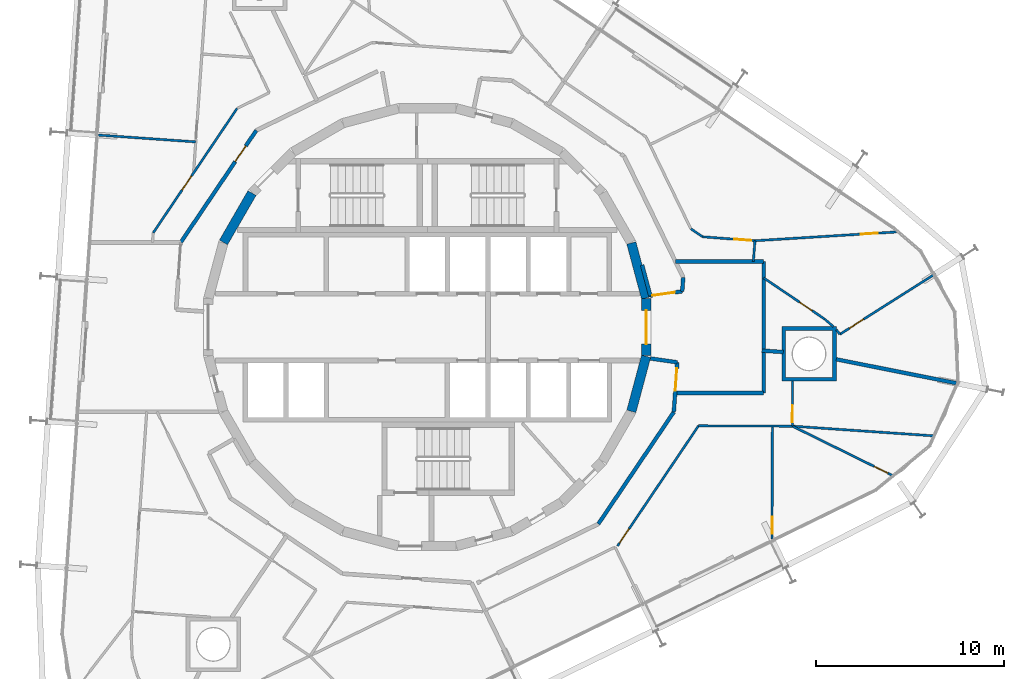
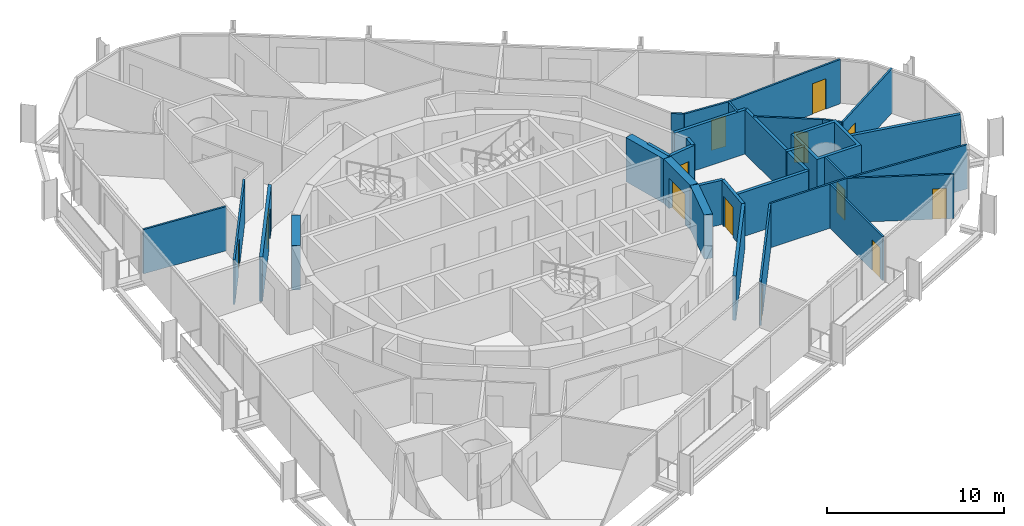
# One storey, part 14 of 17: 33 walls, 13 doors, 13 openings.
"""IFC4 building model written with IfcOpenShell, lengths in metres."""

from ifc_helpers import new_model, si_unit, direction, frame, frame_2d, origin, place, context, subcontext, project, spatial, polyline, rectangle, outline, extrude, material, layer, layer_set, type_object, element, fill, save


model = new_model("IFC4")

# Units and contexts
model_context = context("Model", 3, precision=1e-05, world=origin(), true_north=direction((0.0, 1.0)))
body_context = subcontext(model_context, "Body", "Model", "MODEL_VIEW")
ifc_project = project(units=[si_unit("LENGTHUNIT", "METRE"), si_unit("AREAUNIT", "SQUARE_METRE"), si_unit("VOLUMEUNIT", "CUBIC_METRE"), si_unit("PLANEANGLEUNIT", "RADIAN"), si_unit("MASSUNIT", "GRAM", prefix="KILO")], contexts=[model_context])

# Site, building, storey
site_placement = place(None, origin())
site = spatial("IfcSite", under=ifc_project, at=site_placement, CompositionType="ELEMENT")
building_placement = place(site_placement, origin())
building = spatial("IfcBuilding", under=site, at=building_placement, Name="Spindle Arch Residences", CompositionType="ELEMENT")
storey_placement = place(building_placement, frame((0.0, 0.0, 216.39990234375)))
storey = spatial("IfcBuildingStorey", under=building, at=storey_placement, Name="L55", CompositionType="ELEMENT", Elevation=216.39990234375)

# Wall
ifc_material_1 = material(Name="Concrete C50/60", Category="concrete")
ifc_layer_1 = layer(ifc_material_1, 0.5)
ifc_layer_set_1 = layer_set([ifc_layer_1], Name="Core outline wall 500")
wall_type_1 = type_object("IfcWallType", Name="Core outline wall 500", PredefinedType="SHEAR", material=ifc_layer_set_1)
wall_1_placement = place(storey_placement, frame((10.858154296875, -4.479248046875, 0.0), z_axis=(0.0, 0.0, 1.0), x_axis=(0.258734743916, 0.965948410781, 0.0)))
element("IfcWall", 1, at=wall_1_placement, inside=storey, type_object=wall_type_1, Name="Core outline wall 5", PredefinedType="SHEAR", context=body_context, shape_type="SweptSolid", body=[
    extrude(rectangle(XDim=3.03271484375, YDim=0.5, at=frame_2d((1.516357421875, 0.0))), origin(), (0.0, 0.0, 1.0), 3.050048828125),
])

# Wall, opening, door
wall_2_placement = place(storey_placement, frame((11.647216796875, -1.516357421875, 0.0), z_axis=(0.0, 0.0, 1.0), x_axis=(0.0, 1.0, 0.0)))
wall_2 = element("IfcWall", 2, at=wall_2_placement, inside=storey, type_object=wall_type_1, Name="Core outline wall 6", PredefinedType="SHEAR", context=body_context, shape_type="SweptSolid", body=[
    extrude(rectangle(XDim=3.03271484375, YDim=0.5, at=frame_2d((1.516357421875, 0.0))), origin(), (0.0, 0.0, 1.0), 3.050048828125),
])
opening_1_placement = place(wall_2_placement, frame((0.6162109375, 0.0, 0.0)))
opening_1 = element("IfcOpeningElement", 3, at=opening_1_placement, cuts=wall_2, Name="Opening R5C0-FE01", PredefinedType="OPENING", context=body_context, shape_type="SweptSolid", body=[
    extrude(rectangle(XDim=1.800048828125, YDim=2.10009765625, at=frame_2d((0.89990234375, 1.050048828125))), frame((0.0, 0.260009765625, 0.0), z_axis=(0.0, -1.0, 0.0), x_axis=(1.0, 0.0, 0.0)), (0.0, 0.0, 1.0), 0.52001953125),
])
ifc_material_2 = material(Name="Steel, fire-resisting door", Category="steel")
door_type_1 = type_object("IfcDoorType", Name="Fire-lift lobby door 1800x2100", OperationType="DOUBLE_DOOR_SINGLE_SWING", PredefinedType="DOOR", material=ifc_material_2)
door_1_placement = place(opening_1_placement, origin())
door_1 = element("IfcDoor", 4, at=door_1_placement, inside=storey, type_object=door_type_1, Name="Fire-lift lobby door R5C0-FE01", OperationType="DOUBLE_DOOR_SINGLE_SWING", OverallHeight=2.10009765625, OverallWidth=1.800048828125, PredefinedType="DOOR", context=body_context, shape_type="SweptSolid", body=[
    extrude(rectangle(XDim=1.800048828125, YDim=2.10009765625, at=frame_2d((0.89990234375, 1.050048828125))), frame((0.0, 0.02490234375, 0.0), z_axis=(0.0, -1.0, 0.0), x_axis=(1.0, 0.0, 0.0)), (0.0, 0.0, 1.0), 0.050048828125),
])
fill(opening_1, door_1)

# Walls
for number, where, z_axis, x_axis, name in (
    (5, (11.642822265625, 1.5498046875, 0.0), (0.0, 0.0, 1.0), (-0.258734743916, 0.965948410781, 0.0), "Core outline wall 7"),
    (6, (-9.32861328125, 7.13671875, 0.0), (0.0, 0.0, 1.0), (-0.500087131594, -0.865975092491, 0.0), "Core outline wall 16"),
):
    element("IfcWall", number, at=place(storey_placement, frame(where, z_axis=z_axis, x_axis=x_axis)), inside=storey, type_object=wall_type_1, Name=name, PredefinedType="SHEAR", context=body_context, shape_type="SweptSolid", body=[
        extrude(rectangle(XDim=3.03271484375, YDim=0.5, at=frame_2d((1.516357421875, 0.0))), origin(), (0.0, 0.0, 1.0), 3.050048828125),
    ])

# Wall, opening, door
ifc_material_3 = material(Name="Calcium silicate block, plastered")
ifc_layer_2 = layer(ifc_material_3, 0.199951171875)
ifc_layer_set_2 = layer_set([ifc_layer_2], Name="Corridor wall 200")
wall_type_2 = type_object("IfcWallType", Name="Corridor wall 200", PredefinedType="STANDARD", material=ifc_layer_set_2)
wall_3_placement = place(storey_placement, frame((-9.101318359375, 10.469970703125, 0.0), z_axis=(0.0, 0.0, 1.0), x_axis=(-0.559195469534, -0.829035841718, 0.0)))
wall_3 = element("IfcWall", 7, at=wall_3_placement, inside=storey, type_object=wall_type_2, Name="Corridor wall R5C0-W012", PredefinedType="STANDARD", context=body_context, shape_type="SweptSolid", body=[
    extrude(rectangle(XDim=7.18115234375, YDim=0.199951171875, at=frame_2d((3.590576171875, 0.0))), origin(), (0.0, 0.0, 1.0), 3.050048828125),
])
opening_2_placement = place(wall_3_placement, frame((1.0, 0.0, 0.0)))
opening_2 = element("IfcOpeningElement", 8, at=opening_2_placement, cuts=wall_3, Name="Opening R5C0-FD03", PredefinedType="OPENING", context=body_context, shape_type="SweptSolid", body=[
    extrude(rectangle(XDim=1.0, YDim=2.10009765625, at=frame_2d((0.5, 1.050048828125))), frame((0.0, 0.10986328125, 0.0), z_axis=(0.0, -1.0, 0.0), x_axis=(1.0, 0.0, 0.0)), (0.0, 0.0, 1.0), 0.219970703125),
])
ifc_material_4 = material(Name="Timber, fire-resisting door set", Category="wood")
door_type_2 = type_object("IfcDoorType", Name="Flat entrance door 1000x2100", OperationType="NOTDEFINED", PredefinedType="DOOR", material=ifc_material_4)
door_2_placement = place(opening_2_placement, origin())
door_2 = element("IfcDoor", 9, at=door_2_placement, inside=storey, type_object=door_type_2, Name="Flat entrance door R5C0-FD03", OperationType="SINGLE_SWING_LEFT", OverallHeight=2.10009765625, OverallWidth=1.0, PredefinedType="DOOR", context=body_context, shape_type="SweptSolid", body=[
    extrude(rectangle(XDim=1.0, YDim=2.10009765625, at=frame_2d((0.5, 1.050048828125))), frame((0.0, 0.02490234375, 0.0), z_axis=(0.0, -1.0, 0.0), x_axis=(1.0, 0.0, 0.0)), (0.0, 0.0, 1.0), 0.050048828125),
])
fill(opening_2, door_2)

# Walls
wall_4_placement = place(storey_placement, frame((9.101318359375, -10.469970703125, 0.0), z_axis=(0.0, 0.0, 1.0), x_axis=(0.559195469534, 0.829035841718, 0.0)))
element("IfcWall", 10, at=wall_4_placement, inside=storey, type_object=wall_type_2, Name="Corridor wall R5C0-W021", PredefinedType="STANDARD", context=body_context, shape_type="SweptSolid", body=[
    extrude(rectangle(XDim=7.18115234375, YDim=0.199951171875, at=frame_2d((3.590576171875, 0.0))), origin(), (0.0, 0.0, 1.0), 3.050048828125),
])
ifc_material_5 = material(Name="Calcium silicate block, plastered")
ifc_layer_3 = layer(ifc_material_5, 0.199951171875)
ifc_layer_set_3 = layer_set([ifc_layer_3], Name="Fire-lift lobby bay wall 200")
wall_type_3 = type_object("IfcWallType", Name="Fire-lift lobby bay wall 200", PredefinedType="STANDARD", material=ifc_layer_set_3)
wall_5_placement = place(storey_placement, frame((11.8701171875, 1.668212890625, 0.0), z_axis=(0.0, 0.0, 1.0), x_axis=(-0.258836880648, 0.965921047093, 0.0)))
element("IfcWall", 11, at=wall_5_placement, inside=storey, type_object=wall_type_3, Name="Fire-lift lobby bay wall R5C0-W001", PredefinedType="STANDARD", context=body_context, shape_type="SweptSolid", body=[
    extrude(rectangle(XDim=1.695068359375, YDim=0.199951171875, at=frame_2d((0.84765625, 0.0))), origin(), (0.0, 0.0, 1.0), 3.050048828125),
])

# Wall, opening, door
wall_6_placement = place(storey_placement, frame((11.8701171875, 1.668212890625, 0.0), z_axis=(0.0, 0.0, 1.0), x_axis=(0.990271931984, 0.139145609792, 0.0)))
wall_6 = element("IfcWall", 12, at=wall_6_placement, inside=storey, type_object=wall_type_3, Name="Fire-lift lobby bay wall R5C0-W002", PredefinedType="STANDARD", context=body_context, shape_type="SweptSolid", body=[
    extrude(rectangle(XDim=1.71240234375, YDim=0.199951171875, at=frame_2d((0.856201171875, 0.0))), origin(), (0.0, 0.0, 1.0), 3.050048828125),
])
opening_3_placement = place(wall_6_placement, frame((0.110107421875, 0.0, 0.0)))
opening_3 = element("IfcOpeningElement", 13, at=opening_3_placement, cuts=wall_6, Name="Opening R5C0-CD01", PredefinedType="OPENING", context=body_context, shape_type="SweptSolid", body=[
    extrude(rectangle(XDim=1.199951171875, YDim=2.10009765625, at=frame_2d((0.60009765625, 1.050048828125))), frame((0.0, 0.10986328125, 0.0), z_axis=(0.0, -1.0, 0.0), x_axis=(1.0, 0.0, 0.0)), (0.0, 0.0, 1.0), 0.219970703125),
])
ifc_material_6 = material(Name="Steel, fire-resisting door", Category="steel")
door_type_3 = type_object("IfcDoorType", Name="Corridor division door 1200x2100", OperationType="NOTDEFINED", PredefinedType="DOOR", material=ifc_material_6)
door_3_placement = place(opening_3_placement, origin())
door_3 = element("IfcDoor", 14, at=door_3_placement, inside=storey, type_object=door_type_3, Name="Corridor division door R5C0-CD01", OperationType="DOUBLE_DOOR_SINGLE_SWING", OverallHeight=2.10009765625, OverallWidth=1.199951171875, PredefinedType="DOOR", context=body_context, shape_type="SweptSolid", body=[
    extrude(rectangle(XDim=1.199951171875, YDim=2.10009765625, at=frame_2d((0.60009765625, 1.050048828125))), frame((0.0, 0.02490234375, 0.0), z_axis=(0.0, -1.0, 0.0), x_axis=(1.0, 0.0, 0.0)), (0.0, 0.0, 1.0), 0.050048828125),
])
fill(opening_3, door_3)

# Wall
wall_7_placement = place(storey_placement, frame((13.56591796875, 1.906494140625, 0.0), z_axis=(0.0, 0.0, 1.0), x_axis=(0.07005495793, 0.997543133338, 0.0)))
element("IfcWall", 15, at=wall_7_placement, inside=storey, type_object=wall_type_3, Name="Fire-lift lobby bay wall R5C0-W003", PredefinedType="STANDARD", context=body_context, shape_type="SweptSolid", body=[
    extrude(rectangle(XDim=0.7421875, YDim=0.199951171875, at=frame_2d((0.37109375, 0.0))), origin(), (0.0, 0.0, 1.0), 3.050048828125),
])

# Wall, opening, door
wall_8_placement = place(storey_placement, frame((13.116943359375, -4.5166015625, 0.0), z_axis=(0.0, 0.0, 1.0), x_axis=(0.069736659613, 0.997565435601, 0.0)))
wall_8 = element("IfcWall", 16, at=wall_8_placement, inside=storey, type_object=wall_type_3, Name="Fire-lift lobby bay wall R5C0-W013", PredefinedType="STANDARD", context=body_context, shape_type="SweptSolid", body=[
    extrude(rectangle(XDim=2.653564453125, YDim=0.199951171875, at=frame_2d((1.32666015625, 0.0))), origin(), (0.0, 0.0, 1.0), 3.050048828125),
])
opening_4_placement = place(wall_8_placement, frame((1.134033203125, 0.0, 0.0)))
opening_4 = element("IfcOpeningElement", 17, at=opening_4_placement, cuts=wall_8, Name="Opening R5C0-CD02", PredefinedType="OPENING", context=body_context, shape_type="SweptSolid", body=[
    extrude(rectangle(XDim=1.199951171875, YDim=2.10009765625, at=frame_2d((0.60009765625, 1.050048828125))), frame((0.0, 0.10986328125, 0.0), z_axis=(0.0, -1.0, 0.0), x_axis=(1.0, 0.0, 0.0)), (0.0, 0.0, 1.0), 0.219970703125),
])
door_4_placement = place(opening_4_placement, origin())
door_4 = element("IfcDoor", 18, at=door_4_placement, inside=storey, type_object=door_type_3, Name="Corridor division door R5C0-CD02", OperationType="DOUBLE_DOOR_SINGLE_SWING", OverallHeight=2.10009765625, OverallWidth=1.199951171875, PredefinedType="DOOR", context=body_context, shape_type="SweptSolid", body=[
    extrude(rectangle(XDim=1.199951171875, YDim=2.10009765625, at=frame_2d((0.60009765625, 1.050048828125))), frame((0.0, 0.02490234375, 0.0), z_axis=(0.0, -1.0, 0.0), x_axis=(1.0, 0.0, 0.0)), (0.0, 0.0, 1.0), 0.050048828125),
])
fill(opening_4, door_4)

# Walls
wall_9_placement = place(storey_placement, frame((13.302001953125, -1.869384765625, 0.0), z_axis=(0.0, 0.0, 1.0), x_axis=(-0.990274397042, 0.13912806533, 0.0)))
element("IfcWall", 19, at=wall_9_placement, inside=storey, type_object=wall_type_3, Name="Fire-lift lobby bay wall R5C0-W014", PredefinedType="STANDARD", context=body_context, shape_type="SweptSolid", body=[
    extrude(rectangle(XDim=1.446044921875, YDim=0.199951171875, at=frame_2d((0.72314453125, 0.0))), origin(), (0.0, 0.0, 1.0), 3.050048828125),
])
wall_10_placement = place(storey_placement, frame((17.89990234375, 3.5, 0.0), z_axis=(0.0, 0.0, 1.0), x_axis=(-1.0, 0.0, 0.0)))
element("IfcWall", 20, at=wall_10_placement, inside=storey, type_object=wall_type_3, Name="Fire-lift lobby bay wall R5C0-W024", PredefinedType="STANDARD", context=body_context, shape_type="SweptSolid", body=[
    extrude(rectangle(XDim=4.697998046875, YDim=0.199951171875, at=frame_2d((2.34912109375, 0.0))), origin(), (0.0, 0.0, 1.0), 3.050048828125),
])
wall_11_placement = place(storey_placement, frame((17.89990234375, -3.5, 0.0), z_axis=(0.0, 0.0, 1.0), x_axis=(0.0, 1.0, 0.0)))
element("IfcWall", 21, at=wall_11_placement, inside=storey, type_object=wall_type_3, Name="Fire-lift lobby bay wall R5C0-W025", PredefinedType="STANDARD", context=body_context, shape_type="SweptSolid", body=[
    extrude(rectangle(XDim=7.0, YDim=0.199951171875, at=frame_2d((3.5, 0.0))), origin(), (0.0, 0.0, 1.0), 3.050048828125),
])
wall_12_placement = place(storey_placement, frame((13.18798828125, -3.5, 0.0), z_axis=(0.0, 0.0, 1.0), x_axis=(1.0, 0.0, 0.0)))
element("IfcWall", 22, at=wall_12_placement, inside=storey, type_object=wall_type_3, Name="Fire-lift lobby bay wall R5C0-W026", PredefinedType="STANDARD", context=body_context, shape_type="SweptSolid", body=[
    extrude(rectangle(XDim=4.7119140625, YDim=0.199951171875, at=frame_2d((2.35595703125, 0.0))), origin(), (0.0, 0.0, 1.0), 3.050048828125),
])
ifc_material_7 = material(Name="Plasterboard on steel studs", Category="steel")
ifc_layer_4 = layer(ifc_material_7, 0.1201171875)
ifc_layer_set_4 = layer_set([ifc_layer_4], Name="Flat partition 120")
wall_type_4 = type_object("IfcWallType", Name="Flat partition 120", PredefinedType="PARTITIONING", material=ifc_layer_set_4)
wall_13_placement = place(storey_placement, frame((17.3505859375, 3.5, 0.0), z_axis=(0.0, 0.0, 1.0), x_axis=(0.075374124137, 0.997155324616, 0.0)))
element("IfcWall", 23, at=wall_13_placement, inside=storey, type_object=wall_type_4, Name="Flat partition R5C0-W037", PredefinedType="PARTITIONING", context=body_context, shape_type="SweptSolid", body=[
    extrude(rectangle(XDim=1.101318359375, YDim=0.1201171875, at=frame_2d((0.55078125, 0.0))), origin(), (0.0, 0.0, 1.0), 3.050048828125),
])

# Wall, opening, door
wall_14_placement = place(storey_placement, frame((17.43359375, 4.59814453125, 0.0), z_axis=(0.0, 0.0, 1.0), x_axis=(-0.997152077354, 0.075417071205, 0.0)))
wall_14 = element("IfcWall", 24, at=wall_14_placement, inside=storey, type_object=wall_type_4, Name="Flat partition R5C0-W038", PredefinedType="PARTITIONING", context=body_context, shape_type="SweptSolid", body=[
    extrude(rectangle(XDim=2.787353515625, YDim=0.1201171875, at=frame_2d((1.3935546875, 0.0))), origin(), (0.0, 0.0, 1.0), 3.050048828125),
])
opening_5_placement = place(wall_14_placement, frame((0.199951171875, 0.0, 0.0)))
opening_5 = element("IfcOpeningElement", 25, at=opening_5_placement, cuts=wall_14, Name="Opening R5C0-ID01", PredefinedType="OPENING", context=body_context, shape_type="SweptSolid", body=[
    extrude(rectangle(XDim=0.89990234375, YDim=2.10009765625, at=frame_2d((0.449951171875, 1.050048828125))), frame((0.0, 0.070068359375, 0.0), z_axis=(0.0, -1.0, 0.0), x_axis=(1.0, 0.0, 0.0)), (0.0, 0.0, 1.0), 0.14013671875),
])
ifc_material_8 = material(Name="Timber door set", Category="wood")
door_type_4 = type_object("IfcDoorType", Name="Room door 900x2100", OperationType="NOTDEFINED", PredefinedType="DOOR", material=ifc_material_8)
door_5_placement = place(opening_5_placement, origin())
door_5 = element("IfcDoor", 26, at=door_5_placement, inside=storey, type_object=door_type_4, Name="Room door R5C0-ID01", OperationType="SINGLE_SWING_LEFT", OverallHeight=2.10009765625, OverallWidth=0.89990234375, PredefinedType="DOOR", context=body_context, shape_type="SweptSolid", body=[
    extrude(rectangle(XDim=0.89990234375, YDim=2.10009765625, at=frame_2d((0.449951171875, 1.050048828125))), frame((0.0, 0.02490234375, 0.0), z_axis=(0.0, -1.0, 0.0), x_axis=(1.0, 0.0, 0.0)), (0.0, 0.0, 1.0), 0.050048828125),
])
fill(opening_5, door_5)

# Walls
wall_15_placement = place(storey_placement, frame((14.654296875, 4.808349609375, 0.0), z_axis=(0.0, 0.0, 1.0), x_axis=(-0.829065184024, 0.559151965604, 0.0)))
element("IfcWall", 27, at=wall_15_placement, inside=storey, type_object=wall_type_4, Name="Flat partition R5C0-W039", PredefinedType="PARTITIONING", context=body_context, shape_type="SweptSolid", body=[
    extrude(rectangle(XDim=0.758056640625, YDim=0.1201171875, at=frame_2d((0.37890625, 0.0))), origin(), (0.0, 0.0, 1.0), 3.050048828125),
])
wall_16_placement = place(storey_placement, frame((21.610107421875, 0.02978515625, 0.0), z_axis=(0.0, 0.0, 1.0), x_axis=(-0.758532196215, 0.651635563259, 0.0)))
element("IfcWall", 28, at=wall_16_placement, inside=storey, type_object=wall_type_4, Name="Flat partition R5C0-W042", PredefinedType="PARTITIONING", context=body_context, shape_type="SweptSolid", body=[
    extrude(rectangle(XDim=0.618896484375, YDim=0.1201171875, at=frame_2d((0.3095703125, 0.0))), origin(), (0.0, 0.0, 1.0), 3.050048828125),
])

# Wall, opening, door
wall_17_placement = place(storey_placement, frame((21.140625, 0.43310546875, 0.0), z_axis=(0.0, 0.0, 1.0), x_axis=(-0.829049908454, 0.559174614313, 0.0)))
wall_17 = element("IfcWall", 29, at=wall_17_placement, inside=storey, type_object=wall_type_4, Name="Flat partition R5C0-W043", PredefinedType="PARTITIONING", context=body_context, shape_type="SweptSolid", body=[
    extrude(rectangle(XDim=3.908935546875, YDim=0.1201171875, at=frame_2d((1.95458984375, 0.0))), origin(), (0.0, 0.0, 1.0), 3.050048828125),
])
opening_6_placement = place(wall_17_placement, frame((0.800048828125, 0.0, 0.0)))
opening_6 = element("IfcOpeningElement", 30, at=opening_6_placement, cuts=wall_17, Name="Opening R5C0-BD01", PredefinedType="OPENING", context=body_context, shape_type="SweptSolid", body=[
    extrude(rectangle(XDim=0.800048828125, YDim=2.10009765625, at=frame_2d((0.39990234375, 1.050048828125))), frame((0.0, 0.070068359375, 0.0), z_axis=(0.0, -1.0, 0.0), x_axis=(1.0, 0.0, 0.0)), (0.0, 0.0, 1.0), 0.14013671875),
])
ifc_material_9 = material(Name="Timber door set", Category="wood")
door_type_5 = type_object("IfcDoorType", Name="Bathroom door 800x2100", OperationType="NOTDEFINED", PredefinedType="DOOR", material=ifc_material_9)
door_6_placement = place(opening_6_placement, origin())
door_6 = element("IfcDoor", 31, at=door_6_placement, inside=storey, type_object=door_type_5, Name="Bathroom door R5C0-BD01", OperationType="SINGLE_SWING_RIGHT", OverallHeight=2.10009765625, OverallWidth=0.800048828125, PredefinedType="DOOR", context=body_context, shape_type="SweptSolid", body=[
    extrude(rectangle(XDim=0.800048828125, YDim=2.10009765625, at=frame_2d((0.39990234375, 1.050048828125))), frame((0.0, 0.02490234375, 0.0), z_axis=(0.0, -1.0, 0.0), x_axis=(1.0, 0.0, 0.0)), (0.0, 0.0, 1.0), 0.050048828125),
])
fill(opening_6, door_6)

wall_18_placement = place(storey_placement, frame((24.9560546875, 5.0654296875, 0.0), z_axis=(0.0, 0.0, 1.0), x_axis=(-0.998076202118, -0.061999151332, 0.0)))
wall_18 = element("IfcWall", 32, at=wall_18_placement, inside=storey, type_object=wall_type_4, Name="Flat partition R5C0-W044", PredefinedType="PARTITIONING", context=body_context, shape_type="SweptSolid", body=[
    extrude(rectangle(XDim=7.536865234375, YDim=0.1201171875, at=frame_2d((3.7685546875, 0.0))), origin(), (0.0, 0.0, 1.0), 3.050048828125),
])
opening_7_placement = place(wall_18_placement, frame((1.0, 0.0, 0.0)))
opening_7 = element("IfcOpeningElement", 33, at=opening_7_placement, cuts=wall_18, Name="Opening R5C0-ID03", PredefinedType="OPENING", context=body_context, shape_type="SweptSolid", body=[
    extrude(rectangle(XDim=0.89990234375, YDim=2.10009765625, at=frame_2d((0.449951171875, 1.050048828125))), frame((0.0, 0.070068359375, 0.0), z_axis=(0.0, -1.0, 0.0), x_axis=(1.0, 0.0, 0.0)), (0.0, 0.0, 1.0), 0.14013671875),
])
door_7_placement = place(opening_7_placement, origin())
door_7 = element("IfcDoor", 34, at=door_7_placement, inside=storey, type_object=door_type_4, Name="Room door R5C0-ID03", OperationType="SINGLE_SWING_LEFT", OverallHeight=2.10009765625, OverallWidth=0.89990234375, PredefinedType="DOOR", context=body_context, shape_type="SweptSolid", body=[
    extrude(rectangle(XDim=0.89990234375, YDim=2.10009765625, at=frame_2d((0.449951171875, 1.050048828125))), frame((0.0, 0.02490234375, 0.0), z_axis=(0.0, -1.0, 0.0), x_axis=(1.0, 0.0, 0.0)), (0.0, 0.0, 1.0), 0.050048828125),
])
fill(opening_7, door_7)

# Wall
wall_19_placement = place(storey_placement, frame((21.77197265625, -0.13623046875, 0.0), z_axis=(0.0, 0.0, 1.0), x_axis=(0.587310294779, -0.809361858285, 0.0)))
element("IfcWall", 35, at=wall_19_placement, inside=storey, type_object=wall_type_4, Name="Flat partition R5C0-W045", PredefinedType="PARTITIONING", context=body_context, shape_type="SweptSolid", body=[
    extrude(rectangle(XDim=0.303466796875, YDim=0.1201171875, at=frame_2d((0.15185546875, 0.0))), origin(), (0.0, 0.0, 1.0), 3.050048828125),
])

# Wall, opening, door
wall_20_placement = place(storey_placement, frame((21.9501953125, -0.3818359375, 0.0), z_axis=(0.0, 0.0, 1.0), x_axis=(0.844596663126, 0.535403097336, 0.0)))
wall_20 = element("IfcWall", 36, at=wall_20_placement, inside=storey, type_object=wall_type_4, Name="Flat partition R5C0-W046", PredefinedType="PARTITIONING", context=body_context, shape_type="SweptSolid", body=[
    extrude(rectangle(XDim=6.022216796875, YDim=0.1201171875, at=frame_2d((3.01123046875, 0.0))), origin(), (0.0, 0.0, 1.0), 3.050048828125),
])
opening_8_placement = place(wall_20_placement, frame((0.60009765625, 0.0, 0.0)))
opening_8 = element("IfcOpeningElement", 37, at=opening_8_placement, cuts=wall_20, Name="Opening R5C0-ID04", PredefinedType="OPENING", context=body_context, shape_type="SweptSolid", body=[
    extrude(rectangle(XDim=0.89990234375, YDim=2.10009765625, at=frame_2d((0.449951171875, 1.050048828125))), frame((0.0, 0.070068359375, 0.0), z_axis=(0.0, -1.0, 0.0), x_axis=(1.0, 0.0, 0.0)), (0.0, 0.0, 1.0), 0.14013671875),
])
door_8_placement = place(opening_8_placement, origin())
door_8 = element("IfcDoor", 38, at=door_8_placement, inside=storey, type_object=door_type_4, Name="Room door R5C0-ID04", OperationType="SINGLE_SWING_LEFT", OverallHeight=2.10009765625, OverallWidth=0.89990234375, PredefinedType="DOOR", context=body_context, shape_type="SweptSolid", body=[
    extrude(rectangle(XDim=0.89990234375, YDim=2.10009765625, at=frame_2d((0.449951171875, 1.050048828125))), frame((0.0, 0.02490234375, 0.0), z_axis=(0.0, -1.0, 0.0), x_axis=(1.0, 0.0, 0.0)), (0.0, 0.0, 1.0), 0.050048828125),
])
fill(opening_8, door_8)

wall_21_placement = place(storey_placement, frame((-10.1201171875, 11.641845703125, 0.0), z_axis=(0.0, 0.0, 1.0), x_axis=(-0.55920080659, -0.829032241779, 0.0)))
wall_21 = element("IfcWall", 39, at=wall_21_placement, inside=storey, type_object=wall_type_4, Name="Flat partition R5C0-W059", PredefinedType="PARTITIONING", context=body_context, shape_type="SweptSolid", body=[
    extrude(rectangle(XDim=7.98486328125, YDim=0.1201171875, at=frame_2d((3.992431640625, 0.0))), origin(), (0.0, 0.0, 1.0), 3.050048828125),
])
opening_9_placement = place(wall_21_placement, frame((4.346435546875, 0.0, 0.0)))
opening_9 = element("IfcOpeningElement", 40, at=opening_9_placement, cuts=wall_21, Name="Opening R5C0-ID11", PredefinedType="OPENING", context=body_context, shape_type="SweptSolid", body=[
    extrude(rectangle(XDim=0.89990234375, YDim=2.10009765625, at=frame_2d((0.449951171875, 1.050048828125))), frame((0.0, 0.070068359375, 0.0), z_axis=(0.0, -1.0, 0.0), x_axis=(1.0, 0.0, 0.0)), (0.0, 0.0, 1.0), 0.14013671875),
])
door_9_placement = place(opening_9_placement, origin())
door_9 = element("IfcDoor", 41, at=door_9_placement, inside=storey, type_object=door_type_4, Name="Room door R5C0-ID11", OperationType="SINGLE_SWING_LEFT", OverallHeight=2.10009765625, OverallWidth=0.89990234375, PredefinedType="DOOR", context=body_context, shape_type="SweptSolid", body=[
    extrude(rectangle(XDim=0.89990234375, YDim=2.10009765625, at=frame_2d((0.449951171875, 1.050048828125))), frame((0.0, 0.02490234375, 0.0), z_axis=(0.0, -1.0, 0.0), x_axis=(1.0, 0.0, 0.0)), (0.0, 0.0, 1.0), 0.050048828125),
])
fill(opening_9, door_9)

# Wall
wall_22_placement = place(storey_placement, frame((-17.51025390625, 10.222412109375, 0.0), z_axis=(0.0, 0.0, 1.0), x_axis=(0.997563184303, -0.069768856397, 0.0)))
element("IfcWall", 42, at=wall_22_placement, inside=storey, type_object=wall_type_4, Name="Flat partition R5C0-W069", PredefinedType="PARTITIONING", context=body_context, shape_type="SweptSolid", body=[
    extrude(rectangle(XDim=5.199951171875, YDim=0.1201171875, at=frame_2d((2.60009765625, 0.0))), origin(), (0.0, 0.0, 1.0), 3.050048828125),
])

# Wall, opening, door
wall_23_placement = place(storey_placement, frame((10.1201171875, -11.641845703125, 0.0), z_axis=(0.0, 0.0, 1.0), x_axis=(0.559201404667, 0.829031838362, 0.0)))
wall_23 = element("IfcWall", 43, at=wall_23_placement, inside=storey, type_object=wall_type_4, Name="Flat partition R5C0-W093", PredefinedType="PARTITIONING", context=body_context, shape_type="SweptSolid", body=[
    extrude(rectangle(XDim=7.708740234375, YDim=0.1201171875, at=frame_2d((3.8544921875, 0.0))), origin(), (0.0, 0.0, 1.0), 3.050048828125),
])
opening_10_placement = place(wall_23_placement, frame((0.199951171875, 0.0, 0.0)))
opening_10 = element("IfcOpeningElement", 44, at=opening_10_placement, cuts=wall_23, Name="Opening R5C0-ID23", PredefinedType="OPENING", context=body_context, shape_type="SweptSolid", body=[
    extrude(rectangle(XDim=0.89990234375, YDim=2.10009765625, at=frame_2d((0.449951171875, 1.050048828125))), frame((0.0, 0.070068359375, 0.0), z_axis=(0.0, -1.0, 0.0), x_axis=(1.0, 0.0, 0.0)), (0.0, 0.0, 1.0), 0.14013671875),
])
door_10_placement = place(opening_10_placement, origin())
door_10 = element("IfcDoor", 45, at=door_10_placement, inside=storey, type_object=door_type_4, Name="Room door R5C0-ID23", OperationType="SINGLE_SWING_RIGHT", OverallHeight=2.10009765625, OverallWidth=0.89990234375, PredefinedType="DOOR", context=body_context, shape_type="SweptSolid", body=[
    extrude(rectangle(XDim=0.89990234375, YDim=2.10009765625, at=frame_2d((0.449951171875, 1.050048828125))), frame((0.0, 0.02490234375, 0.0), z_axis=(0.0, -1.0, 0.0), x_axis=(1.0, 0.0, 0.0)), (0.0, 0.0, 1.0), 0.050048828125),
])
fill(opening_10, door_10)

# Wall
wall_24_placement = place(storey_placement, frame((14.430908203125, -5.2509765625, 0.0), z_axis=(0.0, 0.0, 1.0), x_axis=(0.999994153659, -0.003419451456, 0.0)))
element("IfcWall", 46, at=wall_24_placement, inside=storey, type_object=wall_type_4, Name="Flat partition R5C0-W094", PredefinedType="PARTITIONING", context=body_context, shape_type="SweptSolid", body=[
    extrude(rectangle(XDim=4.997802734375, YDim=0.1201171875, at=frame_2d((2.4990234375, 0.0))), origin(), (0.0, 0.0, 1.0), 3.050048828125),
])

# Wall, opening, door
wall_25_placement = place(storey_placement, frame((19.4287109375, -5.26806640625, 0.0), z_axis=(0.0, 0.0, 1.0), x_axis=(0.003360127656, 0.999994354755, 0.0)))
wall_25 = element("IfcWall", 47, at=wall_25_placement, inside=storey, type_object=wall_type_4, Name="Flat partition R5C0-W095", PredefinedType="PARTITIONING", context=body_context, shape_type="SweptSolid", body=[
    extrude(rectangle(XDim=2.397705078125, YDim=0.1201171875, at=frame_2d((1.19873046875, 0.0))), origin(), (0.0, 0.0, 1.0), 3.050048828125),
])
opening_11_placement = place(wall_25_placement, frame((0.199951171875, 0.0, 0.0)))
opening_11 = element("IfcOpeningElement", 48, at=opening_11_placement, cuts=wall_25, Name="Opening R5C0-ID24", PredefinedType="OPENING", context=body_context, shape_type="SweptSolid", body=[
    extrude(rectangle(XDim=0.89990234375, YDim=2.10009765625, at=frame_2d((0.449951171875, 1.050048828125))), frame((0.0, 0.070068359375, 0.0), z_axis=(0.0, -1.0, 0.0), x_axis=(1.0, 0.0, 0.0)), (0.0, 0.0, 1.0), 0.14013671875),
])
door_11_placement = place(opening_11_placement, origin())
door_11 = element("IfcDoor", 49, at=door_11_placement, inside=storey, type_object=door_type_4, Name="Room door R5C0-ID24", OperationType="SINGLE_SWING_RIGHT", OverallHeight=2.10009765625, OverallWidth=0.89990234375, PredefinedType="DOOR", context=body_context, shape_type="SweptSolid", body=[
    extrude(rectangle(XDim=0.89990234375, YDim=2.10009765625, at=frame_2d((0.449951171875, 1.050048828125))), frame((0.0, 0.02490234375, 0.0), z_axis=(0.0, -1.0, 0.0), x_axis=(1.0, 0.0, 0.0)), (0.0, 0.0, 1.0), 0.050048828125),
])
fill(opening_11, door_11)

wall_26_placement = place(storey_placement, frame((18.342529296875, -11.28173828125, 0.0), z_axis=(0.0, 0.0, 1.0), x_axis=(0.003448675073, 0.999994053302, 0.0)))
wall_26 = element("IfcWall", 50, at=wall_26_placement, inside=storey, type_object=wall_type_4, Name="Flat partition R5C0-W097", PredefinedType="PARTITIONING", context=body_context, shape_type="SweptSolid", body=[
    extrude(rectangle(XDim=6.017333984375, YDim=0.1201171875, at=frame_2d((3.0087890625, 0.0))), origin(), (0.0, 0.0, 1.0), 3.050048828125),
])
opening_12_placement = place(wall_26_placement, frame((0.300048828125, 0.0, 0.0)))
opening_12 = element("IfcOpeningElement", 51, at=opening_12_placement, cuts=wall_26, Name="Opening R5C0-ID25", PredefinedType="OPENING", context=body_context, shape_type="SweptSolid", body=[
    extrude(rectangle(XDim=0.89990234375, YDim=2.10009765625, at=frame_2d((0.449951171875, 1.050048828125))), frame((0.0, 0.070068359375, 0.0), z_axis=(0.0, -1.0, 0.0), x_axis=(1.0, 0.0, 0.0)), (0.0, 0.0, 1.0), 0.14013671875),
])
door_12_placement = place(opening_12_placement, origin())
door_12 = element("IfcDoor", 52, at=door_12_placement, inside=storey, type_object=door_type_4, Name="Room door R5C0-ID25", OperationType="SINGLE_SWING_RIGHT", OverallHeight=2.10009765625, OverallWidth=0.89990234375, PredefinedType="DOOR", context=body_context, shape_type="SweptSolid", body=[
    extrude(rectangle(XDim=0.89990234375, YDim=2.10009765625, at=frame_2d((0.449951171875, 1.050048828125))), frame((0.0, 0.02490234375, 0.0), z_axis=(0.0, -1.0, 0.0), x_axis=(1.0, 0.0, 0.0)), (0.0, 0.0, 1.0), 0.050048828125),
])
fill(opening_12, door_12)

wall_27_placement = place(storey_placement, frame((24.860595703125, -7.94287109375, 0.0), z_axis=(0.0, 0.0, 1.0), x_axis=(-0.897128390861, 0.441769906525, 0.0)))
wall_27 = element("IfcWall", 53, at=wall_27_placement, inside=storey, type_object=wall_type_4, Name="Flat partition R5C0-W098", PredefinedType="PARTITIONING", context=body_context, shape_type="SweptSolid", body=[
    extrude(rectangle(XDim=6.0546875, YDim=0.1201171875, at=frame_2d((3.02734375, 0.0))), origin(), (0.0, 0.0, 1.0), 3.050048828125),
])
opening_13_placement = place(wall_27_placement, frame((0.39990234375, 0.0, 0.0)))
opening_13 = element("IfcOpeningElement", 54, at=opening_13_placement, cuts=wall_27, Name="Opening R5C0-BD06", PredefinedType="OPENING", context=body_context, shape_type="SweptSolid", body=[
    extrude(rectangle(XDim=0.800048828125, YDim=2.10009765625, at=frame_2d((0.39990234375, 1.050048828125))), frame((0.0, 0.070068359375, 0.0), z_axis=(0.0, -1.0, 0.0), x_axis=(1.0, 0.0, 0.0)), (0.0, 0.0, 1.0), 0.14013671875),
])
door_13_placement = place(opening_13_placement, origin())
door_13 = element("IfcDoor", 55, at=door_13_placement, inside=storey, type_object=door_type_5, Name="Bathroom door R5C0-BD06", OperationType="SINGLE_SWING_RIGHT", OverallHeight=2.10009765625, OverallWidth=0.800048828125, PredefinedType="DOOR", context=body_context, shape_type="SweptSolid", body=[
    extrude(rectangle(XDim=0.800048828125, YDim=2.10009765625, at=frame_2d((0.39990234375, 1.050048828125))), frame((0.0, 0.02490234375, 0.0), z_axis=(0.0, -1.0, 0.0), x_axis=(1.0, 0.0, 0.0)), (0.0, 0.0, 1.0), 0.050048828125),
])
fill(opening_13, door_13)

# Walls
wall_28_placement = place(storey_placement, frame((26.96142578125, -5.78515625, 0.0), z_axis=(0.0, 0.0, 1.0), x_axis=(-0.997652165985, 0.068484711466, 0.0)))
element("IfcWall", 56, at=wall_28_placement, inside=storey, type_object=wall_type_4, Name="Flat partition R5C0-W099", PredefinedType="PARTITIONING", context=body_context, shape_type="SweptSolid", body=[
    extrude(rectangle(XDim=7.550537109375, YDim=0.1201171875, at=frame_2d((3.775390625, 0.0))), origin(), (0.0, 0.0, 1.0), 3.050048828125),
])
ifc_material_10 = material(Name="Calcium silicate block, plastered")
ifc_layer_5 = layer(ifc_material_10, 0.199951171875)
ifc_layer_set_5 = layer_set([ifc_layer_5], Name="Flat party wall 200")
wall_type_5 = type_object("IfcWallType", Name="Flat party wall 200", PredefinedType="STANDARD", material=ifc_layer_set_5)
wall_29_placement = place(storey_placement, frame((17.80029296875, -1.24560546875, 0.0), z_axis=(0.0, 0.0, 1.0), x_axis=(0.997562681713, -0.069776042122, 0.0)))
element("IfcWall", 57, at=wall_29_placement, inside=storey, type_object=wall_type_5, Name="Flat party wall R5C0-W028", PredefinedType="STANDARD", context=body_context, shape_type="SweptSolid", body=[
    extrude(rectangle(XDim=1.14404296875, YDim=0.199951171875, at=frame_2d((0.572021484375, 0.0))), origin(), (0.0, 0.0, 1.0), 3.050048828125),
])
wall_30_placement = place(storey_placement, frame((21.761962890625, -1.70947265625, 0.0), z_axis=(0.0, 0.0, 1.0), x_axis=(0.980707365343, -0.195481619501, 0.0)))
element("IfcWall", 58, at=wall_30_placement, inside=storey, type_object=wall_type_5, Name="Flat party wall R5C0-W029", PredefinedType="STANDARD", context=body_context, shape_type="SweptSolid", body=[
    extrude(rectangle(XDim=6.511962890625, YDim=0.199951171875, at=frame_2d((3.255859375, 0.0))), origin(), (0.0, 0.0, 1.0), 3.050048828125),
])
ifc_material_11 = material(Name="Calcium silicate block, plastered")
ifc_layer_6 = layer(ifc_material_11, 0.199951171875)
ifc_layer_set_6 = layer_set([ifc_layer_6], Name="Mega-column casing wall 200")
wall_type_6 = type_object("IfcWallType", Name="Mega-column casing wall 200", PredefinedType="STANDARD", material=ifc_layer_set_6)
wall_31_placement = place(storey_placement, origin())
element("IfcWall", 59, at=wall_31_placement, inside=storey, type_object=wall_type_6, Name="Mega-column casing wall R5C0-WC03", PredefinedType="STANDARD", context=body_context, shape_type="SweptSolid", body=[
    extrude(outline(polyline([(21.761962890625, 0.02978515625), (21.761962890625, -2.870361328125), (18.86181640625, -2.870361328125), (18.86181640625, 0.02978515625), (21.761962890625, 0.02978515625)]), holes=[polyline([(19.06201171875, -2.67041015625), (21.56201171875, -2.67041015625), (21.56201171875, -0.17041015625), (19.06201171875, -0.17041015625), (19.06201171875, -2.67041015625)])]), origin(), (0.0, 0.0, 1.0), 3.050048828125),
])

save(model, "model.ifc")
